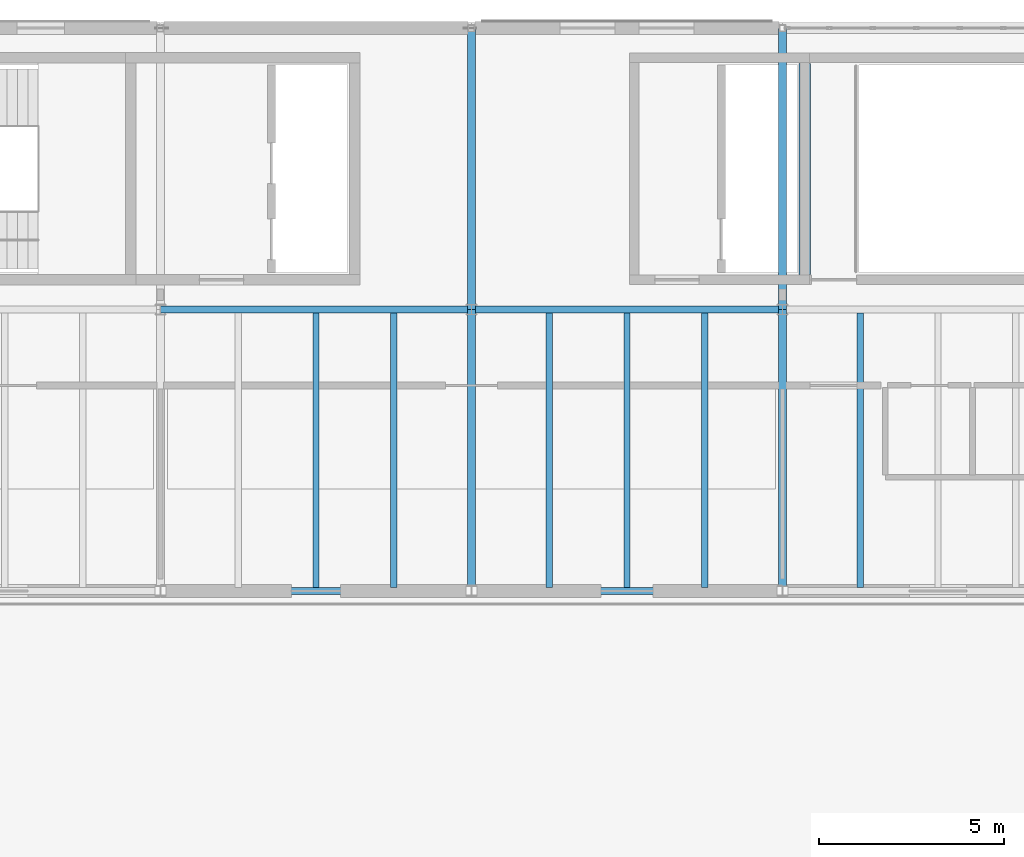
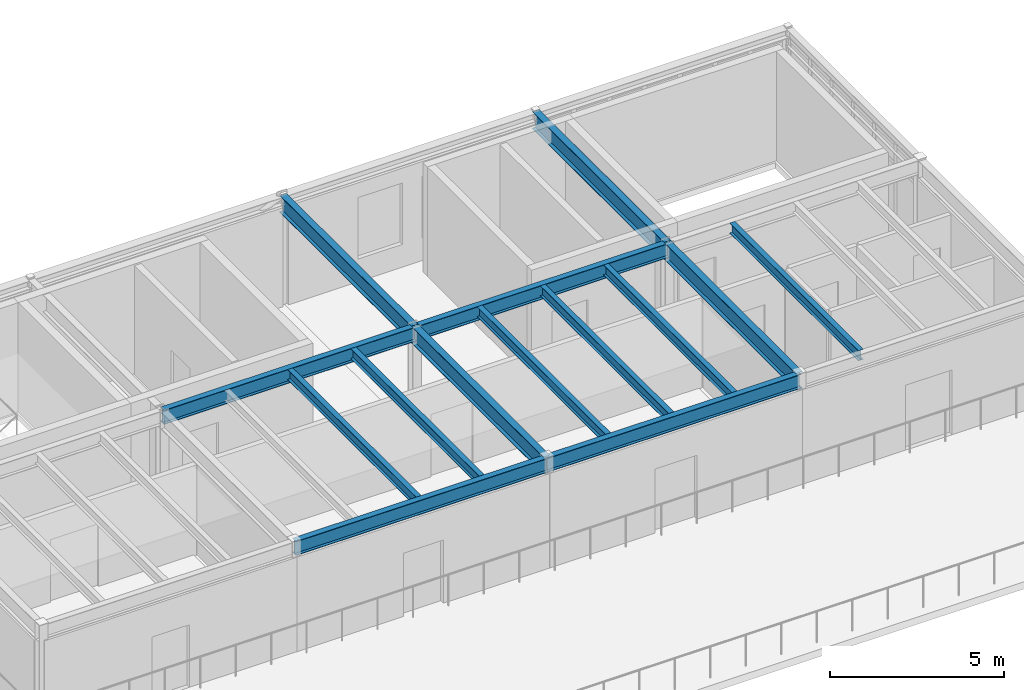
# One storey, part 7 of 26: 15 beams.
"""IFC4 building model written with IfcOpenShell, lengths in metres."""

from ifc_helpers import new_model, si_unit, direction, frame, origin, origin_2d, place, context, subcontext, project, spatial, rectangle, i_section, extrude, material, material_profile, profile_set, type_object, element, save


model = new_model("IFC4")

# Units and contexts
model_context = context("Model", 3, precision=1e-05, world=origin(), true_north=direction((0.0, 1.0)))
body_context = subcontext(model_context, "Body", "Model", "MODEL_VIEW")
ifc_project = project(units=[si_unit("LENGTHUNIT", "METRE"), si_unit("AREAUNIT", "SQUARE_METRE"), si_unit("VOLUMEUNIT", "CUBIC_METRE"), si_unit("PLANEANGLEUNIT", "RADIAN"), si_unit("MASSUNIT", "GRAM", prefix="KILO")], contexts=[model_context])

# Site, building, storey
site_placement = place(None, origin())
site = spatial("IfcSite", under=ifc_project, at=site_placement, CompositionType="ELEMENT")
building_placement = place(site_placement, origin())
building = spatial("IfcBuilding", under=site, at=building_placement, Name="Montecoro Central Library", CompositionType="ELEMENT")
storey_placement = place(building_placement, frame((0.0, 0.0, 21.419921875)))
storey = spatial("IfcBuildingStorey", under=building, at=storey_placement, Name="L05", CompositionType="ELEMENT", Elevation=21.419921875)

# Beams
ifc_material_1 = material(Name="Steel S355", Category="steel")
ifc_material_profile_1 = material_profile(ifc_material_1, i_section(OverallWidth=0.199951171875, OverallDepth=0.5, WebThickness=0.01025390625, FlangeThickness=0.01611328125, at=origin_2d()), Name="IPE 500")
ifc_profile_set_1 = profile_set([ifc_material_profile_1], Name="Steel S355")
beam_type_1 = type_object("IfcBeamType", Name="BM-G-IPE500", PredefinedType="USERDEFINED", material=ifc_profile_set_1)
beam_1_placement = place(storey_placement, frame((83.205078125, 103.800048828125, 3.5751953125), z_axis=(1.0, 0.0, 0.0), x_axis=(0.0, 1.0, 0.0)))
element("IfcBeam", 1, at=beam_1_placement, inside=storey, type_object=beam_type_1, Name="V2-L05-BX-1112-P", ObjectType="GIRDER", PredefinedType="USERDEFINED", context=body_context, shape_type="SweptSolid", body=[
    extrude(i_section(OverallWidth=0.199951171875, OverallDepth=0.5, WebThickness=0.01025390625, FlangeThickness=0.01611328125, at=origin_2d()), origin(), (0.0, 0.0, 1.0), 8.389892578125),
])
beam_2_placement = place(storey_placement, frame((91.60498046875, 103.800048828125, 3.5751953125), z_axis=(1.0, 0.0, 0.0), x_axis=(0.0, 1.0, 0.0)))
element("IfcBeam", 2, at=beam_2_placement, inside=storey, type_object=beam_type_1, Name="V2-L05-BX-1213-P", ObjectType="GIRDER", PredefinedType="USERDEFINED", context=body_context, shape_type="SweptSolid", body=[
    extrude(i_section(OverallWidth=0.199951171875, OverallDepth=0.5, WebThickness=0.01025390625, FlangeThickness=0.01611328125, at=origin_2d()), origin(), (0.0, 0.0, 1.0), 8.39013671875),
])
beam_3_placement = place(storey_placement, frame((83.205078125, 111.39990234375, 3.5751953125), z_axis=(1.0, 0.0, 0.0), x_axis=(0.0, 1.0, 0.0)))
element("IfcBeam", 3, at=beam_3_placement, inside=storey, type_object=beam_type_1, Name="V2-L05-BX-1112-Q", ObjectType="GIRDER", PredefinedType="USERDEFINED", context=body_context, shape_type="SweptSolid", body=[
    extrude(i_section(OverallWidth=0.199951171875, OverallDepth=0.5, WebThickness=0.01025390625, FlangeThickness=0.01611328125, at=origin_2d()), origin(), (0.0, 0.0, 1.0), 8.389892578125),
])
beam_4_placement = place(storey_placement, frame((91.60498046875, 111.39990234375, 3.5751953125), z_axis=(1.0, 0.0, 0.0), x_axis=(0.0, 1.0, 0.0)))
element("IfcBeam", 4, at=beam_4_placement, inside=storey, type_object=beam_type_1, Name="V2-L05-BX-1213-Q", ObjectType="GIRDER", PredefinedType="USERDEFINED", context=body_context, shape_type="SweptSolid", body=[
    extrude(i_section(OverallWidth=0.199951171875, OverallDepth=0.5, WebThickness=0.01025390625, FlangeThickness=0.01611328125, at=origin_2d()), origin(), (0.0, 0.0, 1.0), 8.39013671875),
])
ifc_material_2 = material(Name="Steel S355J2", Category="steel")
ifc_material_profile_2 = material_profile(ifc_material_2, i_section(OverallWidth=0.219970703125, OverallDepth=0.60009765625, WebThickness=0.011962890625, FlangeThickness=0.01904296875, at=origin_2d()), Name="IPE 600")
ifc_profile_set_2 = profile_set([ifc_material_profile_2], Name="Steel S355J2")
beam_type_2 = type_object("IfcBeamType", Name="BM-G-IPE600", PredefinedType="USERDEFINED", material=ifc_profile_set_2)
for number, where, z_axis, x_axis, name in (
    (5, (91.60009765625, 103.804931640625, 3.525146484375), (0.0, 1.0, 0.0), (-1.0, 0.0, 0.0), "V2-L05-BY-12-PQ"),
    (6, (91.60009765625, 111.405029296875, 3.525146484375), (0.0, 1.0, 0.0), (-1.0, 0.0, 0.0), "V2-L05-BY-12-QR"),
    (7, (100.0, 103.804931640625, 3.525146484375), (0.0, 1.0, 0.0), (-1.0, 0.0, 0.0), "V2-L05-BY-13-PQ"),
    (8, (100.0, 111.405029296875, 3.525146484375), (0.0, 1.0, 0.0), (-1.0, 0.0, 0.0), "V2-L05-BY-13-QR"),
):
    element("IfcBeam", number, at=place(storey_placement, frame(where, z_axis=z_axis, x_axis=x_axis)), inside=storey, type_object=beam_type_2, Name=name, ObjectType="GIRDER", PredefinedType="USERDEFINED", context=body_context, shape_type="SweptSolid", body=[
        extrude(i_section(OverallWidth=0.219970703125, OverallDepth=0.60009765625, WebThickness=0.011962890625, FlangeThickness=0.01904296875, at=origin_2d()), origin(), (0.0, 0.0, 1.0), 7.590087890625),
    ])
ifc_material_profile_3 = material_profile(ifc_material_1, i_section(OverallWidth=0.169921875, OverallDepth=0.360107421875, WebThickness=0.008056640625, FlangeThickness=0.0126953125, at=origin_2d()), Name="IPE 360")
ifc_profile_set_3 = profile_set([ifc_material_profile_3], Name="Steel S355")
beam_type_3 = type_object("IfcBeamType", Name="BM-J-IPE360", PredefinedType="JOIST", material=ifc_profile_set_3)
for number, where, z_axis, x_axis, name in (
    (9, (87.39990234375, 103.89697265625, 3.64501953125), (0.0, 1.0, 0.0), (-1.0, 0.0, 0.0), "V2-L05-JS-1112-PQ-2"),
    (10, (89.5, 103.89697265625, 3.64501953125), (0.0, 1.0, 0.0), (-1.0, 0.0, 0.0), "V2-L05-JS-1112-PQ-3"),
    (11, (93.699951171875, 103.89697265625, 3.64501953125), (0.0, 1.0, 0.0), (-1.0, 0.0, 0.0), "V2-L05-JS-1213-PQ-1"),
    (12, (95.800048828125, 103.89697265625, 3.64501953125), (0.0, 1.0, 0.0), (-1.0, 0.0, 0.0), "V2-L05-JS-1213-PQ-2"),
    (13, (97.89990234375, 103.89697265625, 3.64501953125), (0.0, 1.0, 0.0), (-1.0, 0.0, 0.0), "V2-L05-JS-1213-PQ-3"),
    (14, (102.10009765625, 103.89697265625, 3.64501953125), (0.0, 1.0, 0.0), (-1.0, 0.0, 0.0), "V2-L05-JS-1314-PQ-1"),
):
    element("IfcBeam", number, at=place(storey_placement, frame(where, z_axis=z_axis, x_axis=x_axis)), inside=storey, type_object=beam_type_3, Name=name, PredefinedType="JOIST", context=body_context, shape_type="SweptSolid", body=[
        extrude(i_section(OverallWidth=0.169921875, OverallDepth=0.360107421875, WebThickness=0.008056640625, FlangeThickness=0.0126953125, at=origin_2d()), origin(), (0.0, 0.0, 1.0), 7.406005859375),
    ])
ifc_material_3 = material(Name="Concrete C35/45", Category="concrete")
ifc_material_profile_4 = material_profile(ifc_material_3, rectangle(XDim=0.320068359375, YDim=0.5, at=origin_2d()), Name="RC LNT 500x320")
ifc_profile_set_4 = profile_set([ifc_material_profile_4], Name="Concrete C35/45")
beam_type_4 = type_object("IfcBeamType", Name="BM-LN-RC03", PredefinedType="LINTEL", material=ifc_profile_set_4)
beam_5_placement = place(storey_placement, frame((100.60009765625, 112.35009765625, 2.7001953125), z_axis=(0.0, 1.0, 0.0), x_axis=(-1.0, 0.0, 0.0)))
element("IfcBeam", 15, at=beam_5_placement, inside=storey, type_object=beam_type_4, Name="C3-L05-LNT", PredefinedType="LINTEL", context=body_context, shape_type="SweptSolid", body=[
    extrude(rectangle(XDim=0.320068359375, YDim=0.5, at=origin_2d()), origin(), (0.0, 0.0, 1.0), 5.699951171875),
])

save(model, "model.ifc")
